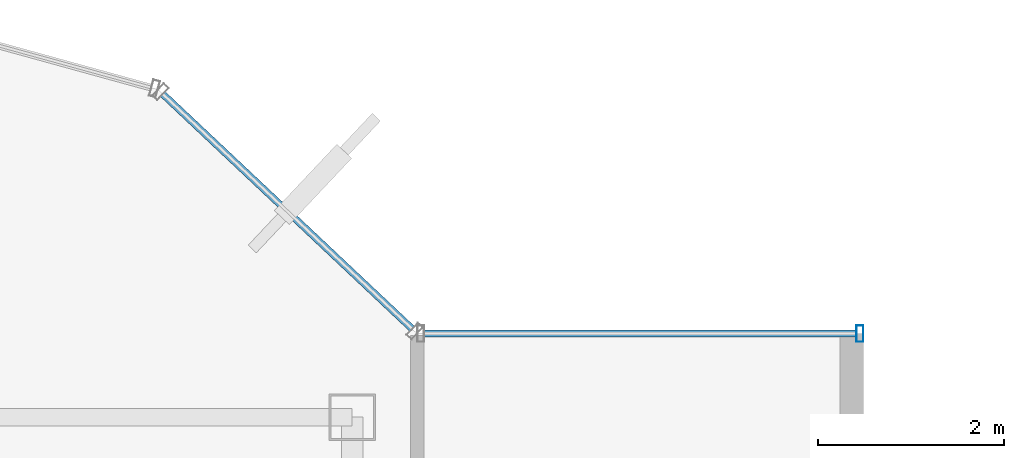
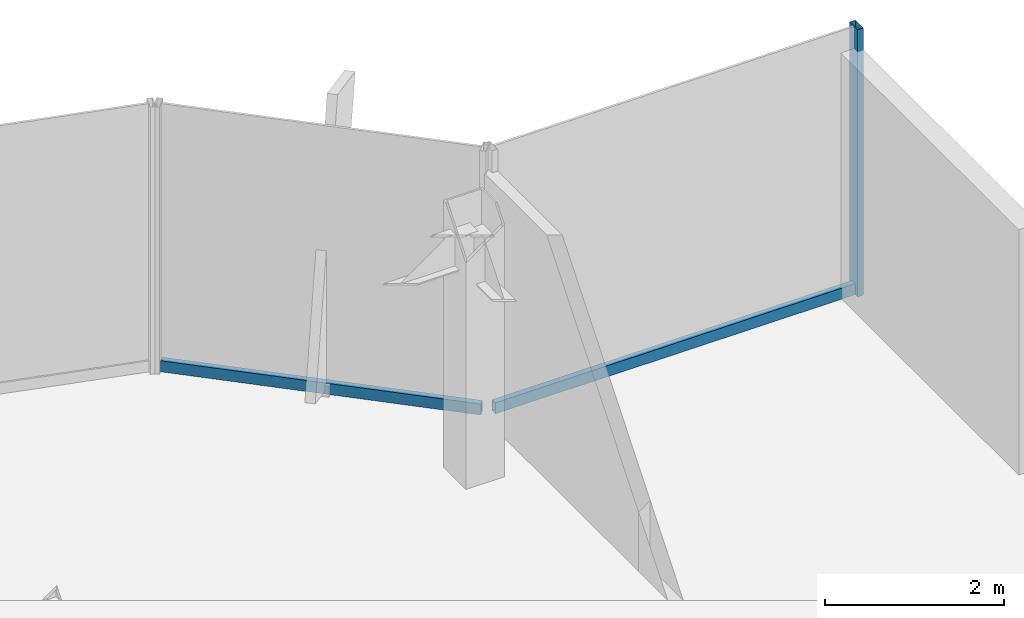
# One storey, part 15 of 22: 3 members, 2 elements without a shape of their own.
"""IFC4 building model written with IfcOpenShell, lengths in metres."""

from ifc_helpers import new_model, si_unit, derived_unit, direction, frame, origin, origin_2d, place, context, subcontext, project, spatial, hollow_rectangle, extrude, source, transform, mapped, material, material_profile, profile_set, type_object, element, aggregate, save


model = new_model("IFC4")

# Units and contexts
model_context = context("Model", 3, precision=1e-05, world=origin(), true_north=direction((0.0, 1.0)))
body_context = subcontext(model_context, "Body", "Model", "MODEL_VIEW")
ifc_project = project(units=[si_unit("LENGTHUNIT", "METRE"), si_unit("AREAUNIT", "SQUARE_METRE"), si_unit("VOLUMEUNIT", "CUBIC_METRE"), si_unit("PLANEANGLEUNIT", "RADIAN"), si_unit("MASSUNIT", "GRAM", prefix="KILO"), derived_unit("THERMALTRANSMITTANCEUNIT", [(si_unit("POWERUNIT", "WATT"), 1), (si_unit("LENGTHUNIT", "METRE"), -2), (si_unit("THERMODYNAMICTEMPERATUREUNIT", "KELVIN"), -1)])], contexts=[model_context])

# Site, building, storey
site_placement = place(None, origin())
site = spatial("IfcSite", under=ifc_project, at=site_placement, CompositionType="ELEMENT")
building_placement = place(site_placement, origin())
building = spatial("IfcBuilding", under=site, at=building_placement, Name="Skarnbrae Concourse Arena and Tower", CompositionType="ELEMENT")
storey_placement = place(building_placement, frame((0.0, 0.0, 232.39990234375)))
storey = spatial("IfcBuildingStorey", under=building, at=storey_placement, Name="L60", CompositionType="ELEMENT", Elevation=232.39990234375)

# Curtain wall, member
ifc_material = material(Name="Bronze anodised aluminium 6063-T6", Category="aluminium")
curtain_wall_type = type_object("IfcCurtainWallType", Name="CW-SYS-05-HIGHZONE", PredefinedType="USERDEFINED", material=ifc_material)
curtain_wall_1_placement = place(storey_placement, origin())
curtain_wall_1 = element("IfcCurtainWall", 1, at=curtain_wall_1_placement, inside=storey, type_object=curtain_wall_type, Name="L60 Unitised curtain wall CW-L60-E07", ObjectType="UNITISED CURTAIN WALL", PredefinedType="USERDEFINED")
ifc_material_profile_1 = material_profile(ifc_material, hollow_rectangle(XDim=0.074951171875, YDim=0.14990234375, WallThickness=0.00390625, at=origin_2d()), Name="ALU-TRAN-75X150")
ifc_profile_set_1 = profile_set([ifc_material_profile_1], Name="Bronze anodised aluminium 6063-T6")
member_type_1 = type_object("IfcMemberType", Name="CWT-CW-05", PredefinedType="USERDEFINED", material=ifc_profile_set_1)
shared_shape_1 = source(origin(), body_context, "Body", "SweptSolid", [
    extrude(hollow_rectangle(XDim=0.074951171875, YDim=0.14990234375, WallThickness=0.00390625, at=origin_2d()), origin(), (0.0, 0.0, 1.0), 4.650146484375),
])
member_1_placement = place(storey_placement, frame((38.925048828125, 35.300048828125, 0.0751953125), z_axis=(-1.0, 0.0, 0.0), x_axis=(0.0, -1.0, 0.0)))
member_1 = element("IfcMember", 2, at=member_1_placement, type_object=member_type_1, Name="CW-L60-E07 Transom 1", ObjectType="TRANSOM", PredefinedType="USERDEFINED", context=body_context, shape_type="MappedRepresentation", body=[
    mapped(shared_shape_1, transform((0.0, 0.0, 0.0))),
])

curtain_wall_2_placement = place(storey_placement, origin())
curtain_wall_2 = element("IfcCurtainWall", 3, at=curtain_wall_2_placement, inside=storey, type_object=curtain_wall_type, Name="L60 Unitised curtain wall CW-L60-E08", ObjectType="UNITISED CURTAIN WALL", PredefinedType="USERDEFINED")
shared_shape_2 = source(origin(), body_context, "Body", "SweptSolid", [
    extrude(hollow_rectangle(XDim=0.074951171875, YDim=0.14990234375, WallThickness=0.00390625, at=origin_2d()), origin(), (0.0, 0.0, 1.0), 3.68212890625),
])
member_2_placement = place(storey_placement, frame((34.1455078125, 35.351318359375, 0.0751953125), z_axis=(-0.728133808476, 0.685435012933, 0.0), x_axis=(-0.685435012933, -0.728133808476, 0.0)))
member_2 = element("IfcMember", 4, at=member_2_placement, type_object=member_type_1, Name="CW-L60-E08 Transom 1", ObjectType="TRANSOM", PredefinedType="USERDEFINED", context=body_context, shape_type="MappedRepresentation", body=[
    mapped(shared_shape_2, transform((0.0, 0.0, 0.0))),
])
aggregate(curtain_wall_2, [member_2])

# Member
ifc_material_profile_2 = material_profile(ifc_material, hollow_rectangle(XDim=0.074951171875, YDim=0.179931640625, WallThickness=0.00390625, at=origin_2d()), Name="ALU-MULL-75X180")
ifc_profile_set_2 = profile_set([ifc_material_profile_2], Name="Bronze anodised aluminium 6063-T6")
member_type_2 = type_object("IfcMemberType", Name="CWM-CW-05", PredefinedType="MULLION", material=ifc_profile_set_2)
shared_shape_3 = source(origin(), body_context, "Body", "SweptSolid", [
    extrude(hollow_rectangle(XDim=0.074951171875, YDim=0.179931640625, WallThickness=0.00390625, at=origin_2d()), origin(), (0.0, 0.0, 1.0), 3.650146484375),
])
member_3_placement = place(storey_placement, frame((38.96240234375, 35.300048828125, 0.0), z_axis=(0.0, 0.0, 1.0), x_axis=(-1.0, 0.0, 0.0)))
member_3 = element("IfcMember", 5, at=member_3_placement, type_object=member_type_2, Name="CW-L60-E07 Mullion 1", PredefinedType="MULLION", context=body_context, shape_type="MappedRepresentation", body=[
    mapped(shared_shape_3, transform((0.0, 0.0, 0.0))),
])

aggregate(curtain_wall_1, [member_3, member_1])

save(model, "model.ifc")
